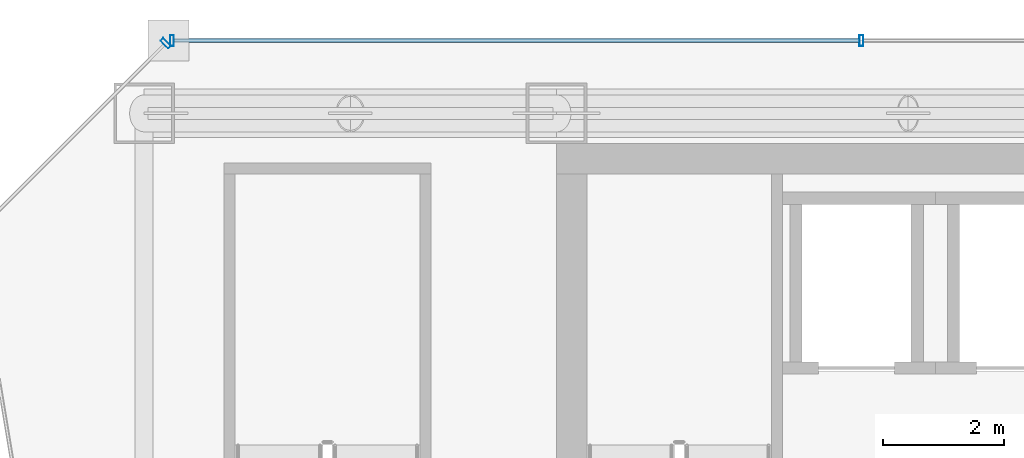
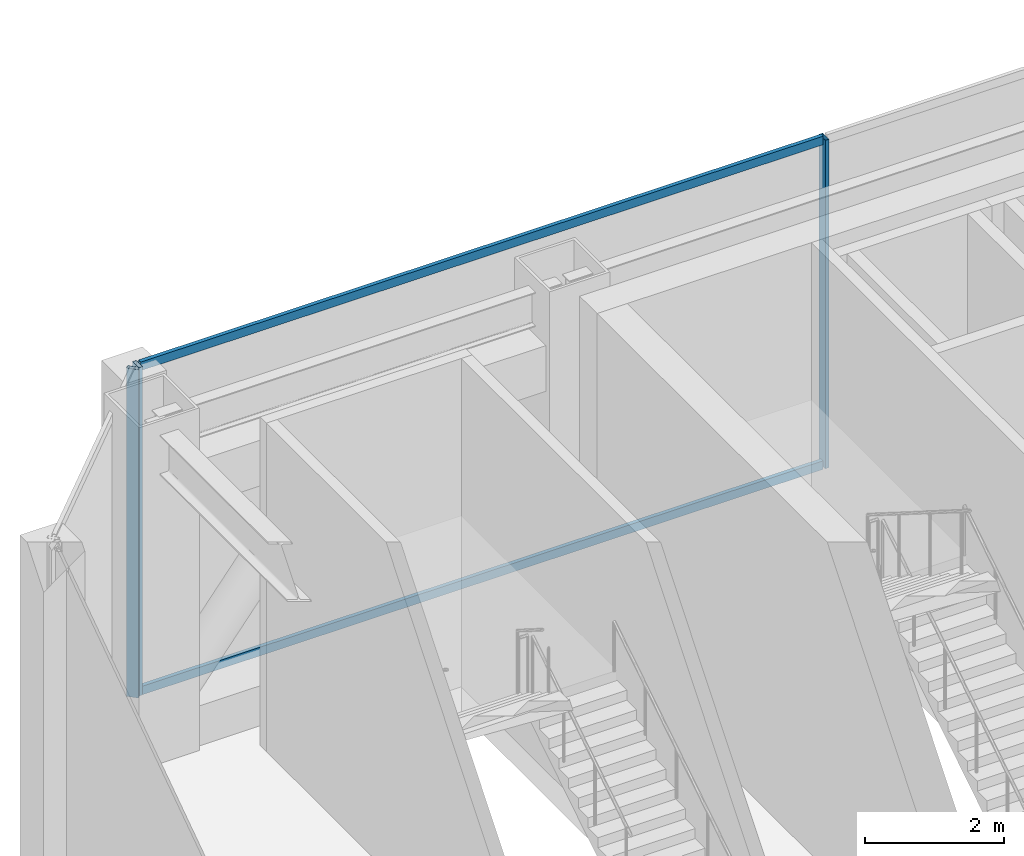
# One storey, part 19 of 30: 5 members, 2 elements without a shape of their own.
"""IFC4 building model written with IfcOpenShell, lengths in metres."""

from ifc_helpers import new_model, si_unit, direction, frame, origin, origin_2d, place, context, subcontext, project, spatial, hollow_rectangle, extrude, material, material_profile, profile_set, type_object, element, aggregate, save


model = new_model("IFC4")

# Units and contexts
model_context = context("Model", 3, precision=1e-05, world=origin(), true_north=direction((0.0, 1.0)))
body_context = subcontext(model_context, "Body", "Model", "MODEL_VIEW")
ifc_project = project(units=[si_unit("LENGTHUNIT", "METRE"), si_unit("AREAUNIT", "SQUARE_METRE"), si_unit("VOLUMEUNIT", "CUBIC_METRE"), si_unit("PLANEANGLEUNIT", "RADIAN"), si_unit("MASSUNIT", "GRAM", prefix="KILO")], contexts=[model_context])

# Site, building, storey
site_placement = place(None, origin())
site = spatial("IfcSite", under=ifc_project, at=site_placement, CompositionType="ELEMENT")
building_placement = place(site_placement, origin())
building = spatial("IfcBuilding", under=site, at=building_placement, Name="Saevonmaru Cultural Tower", CompositionType="ELEMENT")
storey_placement = place(building_placement, frame((0.0, 0.0, 123.60009765625)))
storey = spatial("IfcBuildingStorey", under=building, at=storey_placement, Name="L26", CompositionType="ELEMENT", Elevation=123.60009765625)

# Curtain wall, members
ifc_material = material(Name="Satin Bronze Anodised Aluminium", Category="aluminium")
curtain_wall_type = type_object("IfcCurtainWallType", Name="CW-TYP-A", PredefinedType="NOTDEFINED", material=ifc_material)
curtain_wall_1_placement = place(storey_placement, origin())
curtain_wall_1 = element("IfcCurtainWall", 1, at=curtain_wall_1_placement, inside=storey, type_object=curtain_wall_type, Name="L26 Wind-Floor Acoustic Louvre Screen E10", PredefinedType="NOTDEFINED")
ifc_material_profile_1 = material_profile(ifc_material, hollow_rectangle(XDim=0.06494140625, YDim=0.179931640625, WallThickness=0.00390625, at=origin_2d()), Name="ALU-MULL-180x65x4")
ifc_profile_set_1 = profile_set([ifc_material_profile_1], Name="Satin Bronze Anodised Aluminium")
member_type_1 = type_object("IfcMemberType", Name="ML-CW-180x65", PredefinedType="MULLION", material=ifc_profile_set_1)
member_1_placement = place(storey_placement, frame((18.6298828125, 56.0, 0.0), z_axis=(0.0, 0.0, 1.0), x_axis=(-1.0, 0.0, 0.0)))
member_1 = element("IfcMember", 2, at=member_1_placement, type_object=member_type_1, Name="CW-TW-L26-E10 mullion 4", PredefinedType="MULLION", context=body_context, shape_type="SweptSolid", body=[
    extrude(hollow_rectangle(XDim=0.06494140625, YDim=0.179931640625, WallThickness=0.00390625, at=origin_2d()), origin(), (0.0, 0.0, 1.0), 5.75),
])
member_2_placement = place(storey_placement, frame((7.260009765625, 56.0, 0.0), z_axis=(0.0, 0.0, 1.0), x_axis=(-1.0, 0.0, 0.0)))
member_2 = element("IfcMember", 3, at=member_2_placement, type_object=member_type_1, Name="CW-TW-L26-E10 mullion 5", PredefinedType="MULLION", context=body_context, shape_type="SweptSolid", body=[
    extrude(hollow_rectangle(XDim=0.06494140625, YDim=0.179931640625, WallThickness=0.00390625, at=origin_2d()), origin(), (0.0, 0.0, 1.0), 5.75),
])

# Curtain wall, member
curtain_wall_2_placement = place(storey_placement, origin())
curtain_wall_2 = element("IfcCurtainWall", 4, at=curtain_wall_2_placement, inside=storey, type_object=curtain_wall_type, Name="L26 Wind-Floor Acoustic Louvre Screen E11", PredefinedType="NOTDEFINED")
member_3_placement = place(storey_placement, frame((7.15771484375, 55.95751953125, 0.0), z_axis=(0.0, 0.0, 1.0), x_axis=(-0.707106781187, -0.707106781187, 0.0)))
member_3 = element("IfcMember", 5, at=member_3_placement, type_object=member_type_1, Name="CW-TW-L26-E11 mullion 1", PredefinedType="MULLION", context=body_context, shape_type="SweptSolid", body=[
    extrude(hollow_rectangle(XDim=0.06494140625, YDim=0.179931640625, WallThickness=0.00390625, at=origin_2d()), origin(), (0.0, 0.0, 1.0), 5.75),
])
aggregate(curtain_wall_2, [member_3])

# Member
ifc_material_profile_2 = material_profile(ifc_material, hollow_rectangle(XDim=0.06494140625, YDim=0.14990234375, WallThickness=0.00390625, at=origin_2d()), Name="ALU-TRAN-150x65x4")
ifc_profile_set_2 = profile_set([ifc_material_profile_2], Name="Satin Bronze Anodised Aluminium")
member_type_2 = type_object("IfcMemberType", Name="TR-CW-150x65", PredefinedType="USERDEFINED", material=ifc_profile_set_2)
member_4_placement = place(storey_placement, frame((18.597412109375, 56.0, 0.032470703125), z_axis=(-1.0, 0.0, 0.0), x_axis=(0.0, -1.0, 0.0)))
member_4 = element("IfcMember", 6, at=member_4_placement, type_object=member_type_2, Name="CW-TW-L26-E10 transom 4.1", ObjectType="TRANSOM", PredefinedType="USERDEFINED", context=body_context, shape_type="SweptSolid", body=[
    extrude(hollow_rectangle(XDim=0.06494140625, YDim=0.14990234375, WallThickness=0.00390625, at=origin_2d()), origin(), (0.0, 0.0, 1.0), 11.304931640625),
])

member_5_placement = place(storey_placement, frame((18.597412109375, 56.0, 5.71728515625), z_axis=(-1.0, 0.0, 0.0), x_axis=(0.0, -1.0, 0.0)))
member_5 = element("IfcMember", 7, at=member_5_placement, type_object=member_type_2, Name="CW-TW-L26-E10 transom 4.2", ObjectType="TRANSOM", PredefinedType="USERDEFINED", context=body_context, shape_type="SweptSolid", body=[
    extrude(hollow_rectangle(XDim=0.06494140625, YDim=0.14990234375, WallThickness=0.00390625, at=origin_2d()), origin(), (0.0, 0.0, 1.0), 11.304931640625),
])

aggregate(curtain_wall_1, [member_1, member_2, member_4, member_5])

save(model, "model.ifc")
